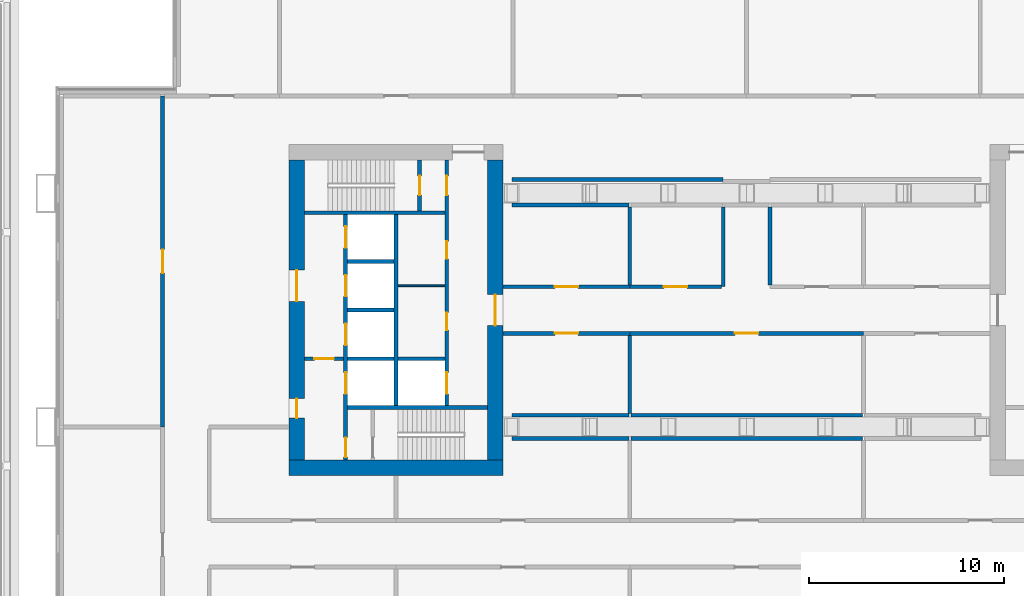
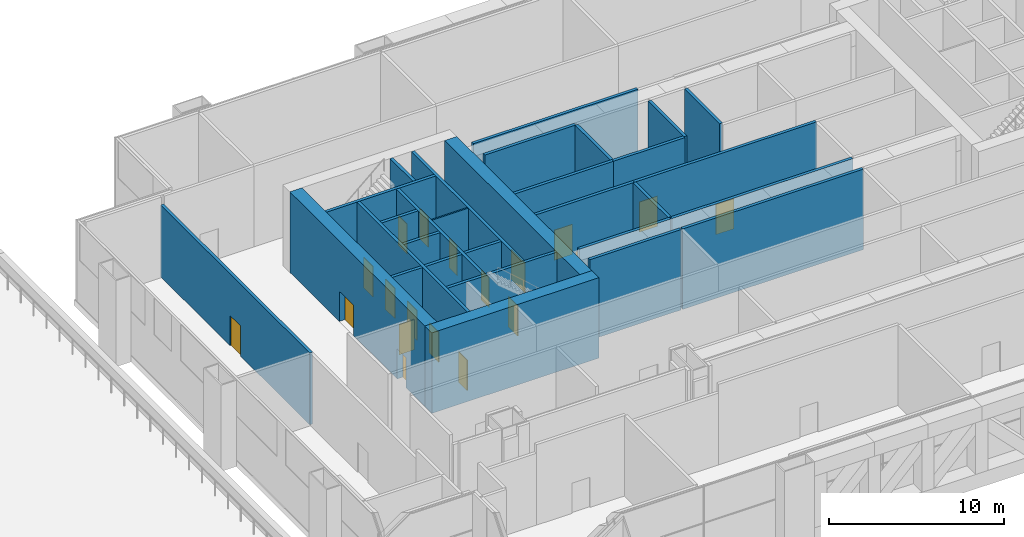
# One storey, part 22 of 27: 30 walls, 19 doors, 19 openings.
"""IFC4 building model written with IfcOpenShell, lengths in metres."""

from ifc_helpers import new_model, si_unit, direction, frame, frame_2d, origin, place, context, subcontext, project, spatial, rectangle, extrude, material, layer, layer_set, type_object, element, fill, save


model = new_model("IFC4")

# Units and contexts
model_context = context("Model", 3, precision=1e-05, world=origin(), true_north=direction((0.0, 1.0)))
body_context = subcontext(model_context, "Body", "Model", "MODEL_VIEW")
ifc_project = project(units=[si_unit("LENGTHUNIT", "METRE"), si_unit("AREAUNIT", "SQUARE_METRE"), si_unit("VOLUMEUNIT", "CUBIC_METRE"), si_unit("PLANEANGLEUNIT", "RADIAN"), si_unit("MASSUNIT", "GRAM", prefix="KILO")], contexts=[model_context])

# Site, building, storey
site_placement = place(None, origin())
site = spatial("IfcSite", under=ifc_project, at=site_placement, CompositionType="ELEMENT")
building_placement = place(site_placement, origin())
building = spatial("IfcBuilding", under=site, at=building_placement, Name="Kitamizu Gate Tower and Museum", CompositionType="ELEMENT")
storey_placement = place(building_placement, frame((0.0, 0.0, 24.0)))
storey = spatial("IfcBuildingStorey", under=building, at=storey_placement, Name="L04", CompositionType="ELEMENT", Elevation=24.0)

# Wall
ifc_material_1 = material(Name="Concrete Fc60", Category="concrete")
ifc_layer_1 = layer(ifc_material_1, 0.800048828125)
ifc_layer_set_1 = layer_set([ifc_layer_1], Name="Concrete Fc60")
wall_type_1 = type_object("IfcWallType", Name="Core wall 800", PredefinedType="SHEAR", material=ifc_layer_set_1)
wall_1_placement = place(storey_placement, frame((12.5, 21.89990234375, 0.0), z_axis=(0.0, 0.0, 1.0), x_axis=(1.0, 0.0, 0.0)))
element("IfcWall", 1, at=wall_1_placement, inside=storey, type_object=wall_type_1, Name="Core wall WS", PredefinedType="SHEAR", context=body_context, shape_type="SweptSolid", body=[
    extrude(rectangle(XDim=11.0, YDim=0.800048828125, at=frame_2d((5.5, 0.0))), origin(), (0.0, 0.0, 1.0), 5.60009765625),
])

# Wall, openings, doors
wall_2_placement = place(storey_placement, frame((12.89990234375, 22.300048828125, 0.0), z_axis=(0.0, 0.0, 1.0), x_axis=(0.0, 1.0, 0.0)))
wall_2 = element("IfcWall", 2, at=wall_2_placement, inside=storey, type_object=wall_type_1, Name="Core wall WOUT", PredefinedType="SHEAR", context=body_context, shape_type="SweptSolid", body=[
    extrude(rectangle(XDim=15.39990234375, YDim=0.800048828125, at=frame_2d((7.699951171875, 0.0))), origin(), (0.0, 0.0, 1.0), 5.60009765625),
])
opening_1_placement = place(wall_2_placement, frame((8.14990234375, 0.0, 0.0)))
opening_1 = element("IfcOpeningElement", 3, at=opening_1_placement, cuts=wall_2, Name="Opening L04-039", PredefinedType="OPENING", context=body_context, shape_type="SweptSolid", body=[
    extrude(rectangle(XDim=1.60009765625, YDim=2.10009765625, at=frame_2d((0.800048828125, 1.050048828125))), frame((0.0, 0.41015625, 0.0), z_axis=(0.0, -1.0, 0.0), x_axis=(1.0, 0.0, 0.0)), (0.0, 0.0, 1.0), 0.820068359375),
])
opening_2_placement = place(wall_2_placement, frame((2.14990234375, 0.0, 0.0)))
opening_2 = element("IfcOpeningElement", 4, at=opening_2_placement, cuts=wall_2, Name="Opening L04-040", PredefinedType="OPENING", context=body_context, shape_type="SweptSolid", body=[
    extrude(rectangle(XDim=1.0, YDim=2.10009765625, at=frame_2d((0.5, 1.050048828125))), frame((0.0, 0.41015625, 0.0), z_axis=(0.0, -1.0, 0.0), x_axis=(1.0, 0.0, 0.0)), (0.0, 0.0, 1.0), 0.820068359375),
])
ifc_material_2 = material(Name="Timber door set", Category="wood")
door_type_1 = type_object("IfcDoorType", Name="Entrance door 1600", OperationType="DOUBLE_DOOR_SINGLE_SWING", PredefinedType="DOOR", material=ifc_material_2)
door_1_placement = place(opening_1_placement, origin())
door_1 = element("IfcDoor", 5, at=door_1_placement, inside=storey, type_object=door_type_1, Name="Lobby door L04-039", OperationType="DOUBLE_DOOR_SINGLE_SWING", OverallHeight=2.10009765625, OverallWidth=1.60009765625, PredefinedType="DOOR", context=body_context, shape_type="SweptSolid", body=[
    extrude(rectangle(XDim=1.60009765625, YDim=2.10009765625, at=frame_2d((0.800048828125, 1.050048828125))), frame((0.0, 0.02490234375, 0.0), z_axis=(0.0, -1.0, 0.0), x_axis=(1.0, 0.0, 0.0)), (0.0, 0.0, 1.0), 0.050048828125),
])
fill(opening_1, door_1)
ifc_material_3 = material(Name="Hollow metal door set")
door_type_2 = type_object("IfcDoorType", Name="Fire door 1000", OperationType="NOTDEFINED", PredefinedType="DOOR", material=ifc_material_3)
door_2_placement = place(opening_2_placement, frame((1.0, 0.0, 0.0), x_axis=(-1.0, 0.0, 0.0)))
door_2 = element("IfcDoor", 6, at=door_2_placement, inside=storey, type_object=door_type_2, Name="Fire-fighting lobby door L04-040", OperationType="SINGLE_SWING_RIGHT", OverallHeight=2.10009765625, OverallWidth=1.0, PredefinedType="DOOR", context=body_context, shape_type="SweptSolid", body=[
    extrude(rectangle(XDim=1.0, YDim=2.10009765625, at=frame_2d((0.5, 1.050048828125))), frame((0.0, 0.02490234375, 0.0), z_axis=(0.0, -1.0, 0.0), x_axis=(1.0, 0.0, 0.0)), (0.0, 0.0, 1.0), 0.050048828125),
])
fill(opening_2, door_2)

# Wall, opening, door
wall_3_placement = place(storey_placement, frame((23.10009765625, 22.300048828125, 0.0), z_axis=(0.0, 0.0, 1.0), x_axis=(0.0, 1.0, 0.0)))
wall_3 = element("IfcWall", 7, at=wall_3_placement, inside=storey, type_object=wall_type_1, Name="Core wall WARC", PredefinedType="SHEAR", context=body_context, shape_type="SweptSolid", body=[
    extrude(rectangle(XDim=15.39990234375, YDim=0.800048828125, at=frame_2d((7.699951171875, 0.0))), origin(), (0.0, 0.0, 1.0), 5.60009765625),
])
opening_3_placement = place(wall_3_placement, frame((6.89990234375, 0.0, 0.0)))
opening_3 = element("IfcOpeningElement", 8, at=opening_3_placement, cuts=wall_3, Name="Opening L04-042", PredefinedType="OPENING", context=body_context, shape_type="SweptSolid", body=[
    extrude(rectangle(XDim=1.60009765625, YDim=2.10009765625, at=frame_2d((0.800048828125, 1.050048828125))), frame((0.0, 0.41015625, 0.0), z_axis=(0.0, -1.0, 0.0), x_axis=(1.0, 0.0, 0.0)), (0.0, 0.0, 1.0), 0.820068359375),
])
door_3_placement = place(opening_3_placement, origin())
door_3 = element("IfcDoor", 9, at=door_3_placement, inside=storey, type_object=door_type_1, Name="Lobby door L04-042", OperationType="DOUBLE_DOOR_SINGLE_SWING", OverallHeight=2.10009765625, OverallWidth=1.60009765625, PredefinedType="DOOR", context=body_context, shape_type="SweptSolid", body=[
    extrude(rectangle(XDim=1.60009765625, YDim=2.10009765625, at=frame_2d((0.800048828125, 1.050048828125))), frame((0.0, 0.02490234375, 0.0), z_axis=(0.0, -1.0, 0.0), x_axis=(1.0, 0.0, 0.0)), (0.0, 0.0, 1.0), 0.050048828125),
])
fill(opening_3, door_3)

# Wall
ifc_material_4 = material(Name="Gypsum board on galvanised stud")
ifc_layer_2 = layer(ifc_material_4, 0.10009765625)
ifc_layer_set_2 = layer_set([ifc_layer_2], Name="Gypsum board on galvanised stud")
wall_type_2 = type_object("IfcWallType", Name="Partition 100", PredefinedType="PARTITIONING", material=ifc_layer_set_2)
wall_4_placement = place(storey_placement, frame((18.10009765625, 31.25, 0.0), z_axis=(0.0, 0.0, 1.0), x_axis=(1.0, 0.0, 0.0)))
element("IfcWall", 10, at=wall_4_placement, inside=storey, type_object=wall_type_2, Name="Partition WPF1", PredefinedType="PARTITIONING", context=body_context, shape_type="SweptSolid", body=[
    extrude(rectangle(XDim=2.39990234375, YDim=0.10009765625, at=frame_2d((1.199951171875, 0.0))), origin(), (0.0, 0.0, 1.0), 5.60009765625),
])

# Wall, opening, door
ifc_material_5 = material(Name="Gypsum board on galvanised stud")
ifc_layer_3 = layer(ifc_material_5, 0.199951171875)
ifc_layer_set_3 = layer_set([ifc_layer_3], Name="Gypsum board on galvanised stud")
wall_type_3 = type_object("IfcWallType", Name="Partition 200", PredefinedType="PARTITIONING", material=ifc_layer_set_3)
wall_5_placement = place(storey_placement, frame((6.0, 41.0, 0.0), z_axis=(0.0, 0.0, 1.0), x_axis=(0.0, -1.0, 0.0)))
wall_5 = element("IfcWall", 11, at=wall_5_placement, inside=storey, type_object=wall_type_3, Name="Partition L04-004", PredefinedType="PARTITIONING", context=body_context, shape_type="SweptSolid", body=[
    extrude(rectangle(XDim=17.0, YDim=0.199951171875, at=frame_2d((8.5, 0.0))), origin(), (0.0, 0.0, 1.0), 5.0),
])
opening_4_placement = place(wall_5_placement, frame((7.89990234375, 0.0, 0.0)))
opening_4 = element("IfcOpeningElement", 12, at=opening_4_placement, cuts=wall_5, Name="Opening L04-003", PredefinedType="OPENING", context=body_context, shape_type="SweptSolid", body=[
    extrude(rectangle(XDim=1.199951171875, YDim=2.10009765625, at=frame_2d((0.60009765625, 1.050048828125))), frame((0.0, 0.10986328125, 0.0), z_axis=(0.0, -1.0, 0.0), x_axis=(1.0, 0.0, 0.0)), (0.0, 0.0, 1.0), 0.219970703125),
])
ifc_material_6 = material(Name="Timber door set", Category="wood")
door_type_3 = type_object("IfcDoorType", Name="Plant room door 1200", OperationType="DOUBLE_DOOR_SINGLE_SWING", PredefinedType="DOOR", material=ifc_material_6)
door_4_placement = place(opening_4_placement, origin())
door_4 = element("IfcDoor", 13, at=door_4_placement, inside=storey, type_object=door_type_3, Name="Plant room door L04-003", OperationType="DOUBLE_DOOR_SINGLE_SWING", OverallHeight=2.10009765625, OverallWidth=1.199951171875, PredefinedType="DOOR", context=body_context, shape_type="SweptSolid", body=[
    extrude(rectangle(XDim=1.199951171875, YDim=2.10009765625, at=frame_2d((0.60009765625, 1.050048828125))), frame((0.0, 0.02490234375, 0.0), z_axis=(0.0, -1.0, 0.0), x_axis=(1.0, 0.0, 0.0)), (0.0, 0.0, 1.0), 0.050048828125),
])
fill(opening_4, door_4)

wall_6_placement = place(storey_placement, frame((23.5, 28.800048828125, 0.0), z_axis=(0.0, 0.0, 1.0), x_axis=(1.0, 0.0, 0.0)))
wall_6 = element("IfcWall", 14, at=wall_6_placement, inside=storey, type_object=wall_type_3, Name="Partition L04-043", PredefinedType="PARTITIONING", context=body_context, shape_type="SweptSolid", body=[
    extrude(rectangle(XDim=6.5, YDim=0.199951171875, at=frame_2d((3.25, 0.0))), origin(), (0.0, 0.0, 1.0), 5.60009765625),
])
opening_5_placement = place(wall_6_placement, frame((2.64990234375, 0.0, 0.0)))
opening_5 = element("IfcOpeningElement", 15, at=opening_5_placement, cuts=wall_6, Name="Opening L04-021", PredefinedType="OPENING", context=body_context, shape_type="SweptSolid", body=[
    extrude(rectangle(XDim=1.199951171875, YDim=2.10009765625, at=frame_2d((0.60009765625, 1.050048828125))), frame((0.0, 0.10986328125, 0.0), z_axis=(0.0, -1.0, 0.0), x_axis=(1.0, 0.0, 0.0)), (0.0, 0.0, 1.0), 0.219970703125),
])
door_5_placement = place(opening_5_placement, origin())
door_5 = element("IfcDoor", 16, at=door_5_placement, inside=storey, type_object=door_type_3, Name="Plant room door L04-021", OperationType="DOUBLE_DOOR_SINGLE_SWING", OverallHeight=2.10009765625, OverallWidth=1.199951171875, PredefinedType="DOOR", context=body_context, shape_type="SweptSolid", body=[
    extrude(rectangle(XDim=1.199951171875, YDim=2.10009765625, at=frame_2d((0.60009765625, 1.050048828125))), frame((0.0, 0.02490234375, 0.0), z_axis=(0.0, -1.0, 0.0), x_axis=(1.0, 0.0, 0.0)), (0.0, 0.0, 1.0), 0.050048828125),
])
fill(opening_5, door_5)

wall_7_placement = place(storey_placement, frame((30.0, 28.800048828125, 0.0), z_axis=(0.0, 0.0, 1.0), x_axis=(1.0, 0.0, 0.0)))
wall_7 = element("IfcWall", 17, at=wall_7_placement, inside=storey, type_object=wall_type_3, Name="Partition L04-044", PredefinedType="PARTITIONING", context=body_context, shape_type="SweptSolid", body=[
    extrude(rectangle(XDim=12.0, YDim=0.199951171875, at=frame_2d((6.0, 0.0))), origin(), (0.0, 0.0, 1.0), 5.60009765625),
])
opening_6_placement = place(wall_7_placement, frame((5.39990234375, 0.0, 0.0)))
opening_6 = element("IfcOpeningElement", 18, at=opening_6_placement, cuts=wall_7, Name="Opening L04-022", PredefinedType="OPENING", context=body_context, shape_type="SweptSolid", body=[
    extrude(rectangle(XDim=1.199951171875, YDim=2.10009765625, at=frame_2d((0.60009765625, 1.050048828125))), frame((0.0, 0.10986328125, 0.0), z_axis=(0.0, -1.0, 0.0), x_axis=(1.0, 0.0, 0.0)), (0.0, 0.0, 1.0), 0.219970703125),
])
door_6_placement = place(opening_6_placement, origin())
door_6 = element("IfcDoor", 19, at=door_6_placement, inside=storey, type_object=door_type_3, Name="Plant room door L04-022", OperationType="DOUBLE_DOOR_SINGLE_SWING", OverallHeight=2.10009765625, OverallWidth=1.199951171875, PredefinedType="DOOR", context=body_context, shape_type="SweptSolid", body=[
    extrude(rectangle(XDim=1.199951171875, YDim=2.10009765625, at=frame_2d((0.60009765625, 1.050048828125))), frame((0.0, 0.02490234375, 0.0), z_axis=(0.0, -1.0, 0.0), x_axis=(1.0, 0.0, 0.0)), (0.0, 0.0, 1.0), 0.050048828125),
])
fill(opening_6, door_6)

wall_8_placement = place(storey_placement, frame((30.0, 31.199951171875, 0.0), z_axis=(0.0, 0.0, 1.0), x_axis=(-1.0, 0.0, 0.0)))
wall_8 = element("IfcWall", 20, at=wall_8_placement, inside=storey, type_object=wall_type_3, Name="Partition L04-046", PredefinedType="PARTITIONING", context=body_context, shape_type="SweptSolid", body=[
    extrude(rectangle(XDim=6.5, YDim=0.199951171875, at=frame_2d((3.25, 0.0))), origin(), (0.0, 0.0, 1.0), 5.60009765625),
])
opening_7_placement = place(wall_8_placement, frame((2.64990234375, 0.0, 0.0)))
opening_7 = element("IfcOpeningElement", 21, at=opening_7_placement, cuts=wall_8, Name="Opening L04-024", PredefinedType="OPENING", context=body_context, shape_type="SweptSolid", body=[
    extrude(rectangle(XDim=1.199951171875, YDim=2.10009765625, at=frame_2d((0.60009765625, 1.050048828125))), frame((0.0, 0.10986328125, 0.0), z_axis=(0.0, -1.0, 0.0), x_axis=(1.0, 0.0, 0.0)), (0.0, 0.0, 1.0), 0.219970703125),
])
door_7_placement = place(opening_7_placement, origin())
door_7 = element("IfcDoor", 22, at=door_7_placement, inside=storey, type_object=door_type_3, Name="Plant room door L04-024", OperationType="DOUBLE_DOOR_SINGLE_SWING", OverallHeight=2.10009765625, OverallWidth=1.199951171875, PredefinedType="DOOR", context=body_context, shape_type="SweptSolid", body=[
    extrude(rectangle(XDim=1.199951171875, YDim=2.10009765625, at=frame_2d((0.60009765625, 1.050048828125))), frame((0.0, 0.02490234375, 0.0), z_axis=(0.0, -1.0, 0.0), x_axis=(1.0, 0.0, 0.0)), (0.0, 0.0, 1.0), 0.050048828125),
])
fill(opening_7, door_7)

# Wall
wall_9_placement = place(storey_placement, frame((34.800048828125, 35.300048828125, 0.0), z_axis=(0.0, 0.0, 1.0), x_axis=(0.0, -1.0, 0.0)))
element("IfcWall", 23, at=wall_9_placement, inside=storey, type_object=wall_type_3, Name="Partition L04-047", PredefinedType="PARTITIONING", context=body_context, shape_type="SweptSolid", body=[
    extrude(rectangle(XDim=4.10009765625, YDim=0.199951171875, at=frame_2d((2.050048828125, 0.0))), origin(), (0.0, 0.0, 1.0), 5.60009765625),
])

# Wall, opening, door
wall_10_placement = place(storey_placement, frame((34.699951171875, 31.199951171875, 0.0), z_axis=(0.0, 0.0, 1.0), x_axis=(-1.0, 0.0, 0.0)))
wall_10 = element("IfcWall", 24, at=wall_10_placement, inside=storey, type_object=wall_type_3, Name="Partition L04-048", PredefinedType="PARTITIONING", context=body_context, shape_type="SweptSolid", body=[
    extrude(rectangle(XDim=4.699951171875, YDim=0.199951171875, at=frame_2d((2.35009765625, 0.0))), origin(), (0.0, 0.0, 1.0), 5.60009765625),
])
opening_8_placement = place(wall_10_placement, frame((1.75, 0.0, 0.0)))
opening_8 = element("IfcOpeningElement", 25, at=opening_8_placement, cuts=wall_10, Name="Opening L04-025", PredefinedType="OPENING", context=body_context, shape_type="SweptSolid", body=[
    extrude(rectangle(XDim=1.199951171875, YDim=2.10009765625, at=frame_2d((0.60009765625, 1.050048828125))), frame((0.0, 0.10986328125, 0.0), z_axis=(0.0, -1.0, 0.0), x_axis=(1.0, 0.0, 0.0)), (0.0, 0.0, 1.0), 0.219970703125),
])
door_8_placement = place(opening_8_placement, origin())
door_8 = element("IfcDoor", 26, at=door_8_placement, inside=storey, type_object=door_type_3, Name="Plant room door L04-025", OperationType="DOUBLE_DOOR_SINGLE_SWING", OverallHeight=2.10009765625, OverallWidth=1.199951171875, PredefinedType="DOOR", context=body_context, shape_type="SweptSolid", body=[
    extrude(rectangle(XDim=1.199951171875, YDim=2.10009765625, at=frame_2d((0.60009765625, 1.050048828125))), frame((0.0, 0.02490234375, 0.0), z_axis=(0.0, -1.0, 0.0), x_axis=(1.0, 0.0, 0.0)), (0.0, 0.0, 1.0), 0.050048828125),
])
fill(opening_8, door_8)

# Walls
for number, where, z_axis, x_axis, name in (
    (27, (37.199951171875, 31.300048828125, 0.0), (0.0, 0.0, 1.0), (0.0, 1.0, 0.0), "Partition L04-050"),
    (28, (30.0, 24.699951171875, 0.0), (0.0, 0.0, 1.0), (0.0, 1.0, 0.0), "Partition L04-069"),
    (29, (30.0, 31.300048828125, 0.0), (0.0, 0.0, 1.0), (0.0, 1.0, 0.0), "Partition L04-071"),
):
    element("IfcWall", number, at=place(storey_placement, frame(where, z_axis=z_axis, x_axis=x_axis)), inside=storey, type_object=wall_type_3, Name=name, PredefinedType="PARTITIONING", context=body_context, shape_type="SweptSolid", body=[
        extrude(rectangle(XDim=4.0, YDim=0.199951171875, at=frame_2d((2.0, 0.0))), origin(), (0.0, 0.0, 1.0), 5.60009765625),
    ])
wall_11_placement = place(storey_placement, frame((34.800048828125, 36.699951171875, 0.0), z_axis=(0.0, 0.0, 1.0), x_axis=(-1.0, 0.0, 0.0)))
element("IfcWall", 30, at=wall_11_placement, inside=storey, type_object=wall_type_3, Name="Partition L04-078", PredefinedType="PARTITIONING", context=body_context, shape_type="SweptSolid", body=[
    extrude(rectangle(XDim=10.85009765625, YDim=0.199951171875, at=frame_2d((5.425048828125, 0.0))), origin(), (0.0, 0.0, 1.0), 5.60009765625),
])
wall_12_placement = place(storey_placement, frame((29.949951171875, 23.39990234375, 0.0), z_axis=(0.0, 0.0, 1.0), x_axis=(-1.0, 0.0, 0.0)))
element("IfcWall", 31, at=wall_12_placement, inside=storey, type_object=wall_type_3, Name="Partition L04-078", PredefinedType="PARTITIONING", context=body_context, shape_type="SweptSolid", body=[
    extrude(rectangle(XDim=6.0, YDim=0.199951171875, at=frame_2d((3.0, 0.0))), origin(), (0.0, 0.0, 1.0), 5.60009765625),
])
wall_13_placement = place(storey_placement, frame((41.949951171875, 23.39990234375, 0.0), z_axis=(0.0, 0.0, 1.0), x_axis=(-1.0, 0.0, 0.0)))
element("IfcWall", 32, at=wall_13_placement, inside=storey, type_object=wall_type_3, Name="Partition L04-078", PredefinedType="PARTITIONING", context=body_context, shape_type="SweptSolid", body=[
    extrude(rectangle(XDim=11.89990234375, YDim=0.199951171875, at=frame_2d((5.949951171875, 0.0))), origin(), (0.0, 0.0, 1.0), 5.60009765625),
])
wall_14_placement = place(storey_placement, frame((23.949951171875, 24.60009765625, 0.0), z_axis=(0.0, 0.0, 1.0), x_axis=(1.0, 0.0, 0.0)))
element("IfcWall", 33, at=wall_14_placement, inside=storey, type_object=wall_type_3, Name="Partition L04-078", PredefinedType="PARTITIONING", context=body_context, shape_type="SweptSolid", body=[
    extrude(rectangle(XDim=6.0, YDim=0.199951171875, at=frame_2d((3.0, 0.0))), origin(), (0.0, 0.0, 1.0), 5.60009765625),
])
wall_15_placement = place(storey_placement, frame((30.050048828125, 24.60009765625, 0.0), z_axis=(0.0, 0.0, 1.0), x_axis=(1.0, 0.0, 0.0)))
element("IfcWall", 34, at=wall_15_placement, inside=storey, type_object=wall_type_3, Name="Partition L04-078", PredefinedType="PARTITIONING", context=body_context, shape_type="SweptSolid", body=[
    extrude(rectangle(XDim=11.89990234375, YDim=0.199951171875, at=frame_2d((5.949951171875, 0.0))), origin(), (0.0, 0.0, 1.0), 5.60009765625),
])
wall_16_placement = place(storey_placement, frame((29.949951171875, 35.39990234375, 0.0), z_axis=(0.0, 0.0, 1.0), x_axis=(-1.0, 0.0, 0.0)))
element("IfcWall", 35, at=wall_16_placement, inside=storey, type_object=wall_type_3, Name="Partition L04-078", PredefinedType="PARTITIONING", context=body_context, shape_type="SweptSolid", body=[
    extrude(rectangle(XDim=6.0, YDim=0.199951171875, at=frame_2d((3.0, 0.0))), origin(), (0.0, 0.0, 1.0), 5.60009765625),
])

# Wall, openings, doors
ifc_material_7 = material(Name="Concrete Fc42", Category="concrete")
ifc_layer_4 = layer(ifc_material_7, 0.199951171875)
ifc_layer_set_4 = layer_set([ifc_layer_4], Name="Concrete Fc42")
wall_type_4 = type_object("IfcWallType", Name="Shaft wall 200", PredefinedType="SOLIDWALL", material=ifc_layer_set_4)
wall_17_placement = place(storey_placement, frame((15.39990234375, 22.300048828125, 0.0), z_axis=(0.0, 0.0, 1.0), x_axis=(0.0, 1.0, 0.0)))
wall_17 = element("IfcWall", 36, at=wall_17_placement, inside=storey, type_object=wall_type_4, Name="Shaft wall WWEST", PredefinedType="SOLIDWALL", context=body_context, shape_type="SweptSolid", body=[
    extrude(rectangle(XDim=12.599853515625, YDim=0.199951171875, at=frame_2d((6.2998046875, 0.0))), origin(), (0.0, 0.0, 1.0), 5.60009765625),
])
opening_9_placement = place(wall_17_placement, frame((3.39990234375, 0.0, 0.0)))
opening_9 = element("IfcOpeningElement", 37, at=opening_9_placement, cuts=wall_17, Name="Opening LD", PredefinedType="OPENING", context=body_context, shape_type="SweptSolid", body=[
    extrude(rectangle(XDim=1.10009765625, YDim=2.10009765625, at=frame_2d((0.550048828125, 1.050048828125))), frame((0.0, 0.10986328125, 0.0), z_axis=(0.0, -1.0, 0.0), x_axis=(1.0, 0.0, 0.0)), (0.0, 0.0, 1.0), 0.219970703125),
])
opening_10_placement = place(wall_17_placement, frame((5.89990234375, 0.0, 0.0)))
opening_10 = element("IfcOpeningElement", 38, at=opening_10_placement, cuts=wall_17, Name="Opening LD", PredefinedType="OPENING", context=body_context, shape_type="SweptSolid", body=[
    extrude(rectangle(XDim=1.10009765625, YDim=2.10009765625, at=frame_2d((0.550048828125, 1.050048828125))), frame((0.0, 0.10986328125, 0.0), z_axis=(0.0, -1.0, 0.0), x_axis=(1.0, 0.0, 0.0)), (0.0, 0.0, 1.0), 0.219970703125),
])
opening_11_placement = place(wall_17_placement, frame((8.39990234375, 0.0, 0.0)))
opening_11 = element("IfcOpeningElement", 39, at=opening_11_placement, cuts=wall_17, Name="Opening LD", PredefinedType="OPENING", context=body_context, shape_type="SweptSolid", body=[
    extrude(rectangle(XDim=1.10009765625, YDim=2.10009765625, at=frame_2d((0.550048828125, 1.050048828125))), frame((0.0, 0.10986328125, 0.0), z_axis=(0.0, -1.0, 0.0), x_axis=(1.0, 0.0, 0.0)), (0.0, 0.0, 1.0), 0.219970703125),
])
opening_12_placement = place(wall_17_placement, frame((10.89990234375, 0.0, 0.0)))
opening_12 = element("IfcOpeningElement", 40, at=opening_12_placement, cuts=wall_17, Name="Opening LD", PredefinedType="OPENING", context=body_context, shape_type="SweptSolid", body=[
    extrude(rectangle(XDim=1.10009765625, YDim=2.10009765625, at=frame_2d((0.550048828125, 1.050048828125))), frame((0.0, 0.10986328125, 0.0), z_axis=(0.0, -1.0, 0.0), x_axis=(1.0, 0.0, 0.0)), (0.0, 0.0, 1.0), 0.219970703125),
])
opening_13_placement = place(wall_17_placement, frame((0.14990234375, 0.0, 0.0)))
opening_13 = element("IfcOpeningElement", 41, at=opening_13_placement, cuts=wall_17, Name="Opening L04-035", PredefinedType="OPENING", context=body_context, shape_type="SweptSolid", body=[
    extrude(rectangle(XDim=1.0, YDim=2.10009765625, at=frame_2d((0.5, 1.050048828125))), frame((0.0, 0.10986328125, 0.0), z_axis=(0.0, -1.0, 0.0), x_axis=(1.0, 0.0, 0.0)), (0.0, 0.0, 1.0), 0.219970703125),
])
door_9_placement = place(opening_13_placement, frame((1.0, 0.0, 0.0), x_axis=(-1.0, 0.0, 0.0)))
door_9 = element("IfcDoor", 42, at=door_9_placement, inside=storey, type_object=door_type_2, Name="Stair lobby door L04-035", OperationType="SINGLE_SWING_LEFT", OverallHeight=2.10009765625, OverallWidth=1.0, PredefinedType="DOOR", context=body_context, shape_type="SweptSolid", body=[
    extrude(rectangle(XDim=1.0, YDim=2.10009765625, at=frame_2d((0.5, 1.050048828125))), frame((0.0, 0.02490234375, 0.0), z_axis=(0.0, -1.0, 0.0), x_axis=(1.0, 0.0, 0.0)), (0.0, 0.0, 1.0), 0.050048828125),
])
fill(opening_13, door_9)
ifc_material_8 = material(Name="Hollow metal door set")
door_type_4 = type_object("IfcDoorType", Name="Landing door 1100", OperationType="SLIDING_TO_LEFT", PredefinedType="DOOR", material=ifc_material_8)
door_10_placement = place(opening_9_placement, origin())
door_10 = element("IfcDoor", 43, at=door_10_placement, inside=storey, type_object=door_type_4, Name="Landing door WFF1", OperationType="SLIDING_TO_LEFT", OverallHeight=2.10009765625, OverallWidth=1.10009765625, PredefinedType="DOOR", context=body_context, shape_type="SweptSolid", body=[
    extrude(rectangle(XDim=1.10009765625, YDim=2.10009765625, at=frame_2d((0.550048828125, 1.050048828125))), frame((0.0, 0.02490234375, 0.0), z_axis=(0.0, -1.0, 0.0), x_axis=(1.0, 0.0, 0.0)), (0.0, 0.0, 1.0), 0.050048828125),
])
fill(opening_9, door_10)
door_11_placement = place(opening_10_placement, origin())
door_11 = element("IfcDoor", 44, at=door_11_placement, inside=storey, type_object=door_type_4, Name="Landing door WL1", OperationType="SLIDING_TO_LEFT", OverallHeight=2.10009765625, OverallWidth=1.10009765625, PredefinedType="DOOR", context=body_context, shape_type="SweptSolid", body=[
    extrude(rectangle(XDim=1.10009765625, YDim=2.10009765625, at=frame_2d((0.550048828125, 1.050048828125))), frame((0.0, 0.02490234375, 0.0), z_axis=(0.0, -1.0, 0.0), x_axis=(1.0, 0.0, 0.0)), (0.0, 0.0, 1.0), 0.050048828125),
])
fill(opening_10, door_11)
door_12_placement = place(opening_11_placement, origin())
door_12 = element("IfcDoor", 45, at=door_12_placement, inside=storey, type_object=door_type_4, Name="Landing door WL2", OperationType="SLIDING_TO_LEFT", OverallHeight=2.10009765625, OverallWidth=1.10009765625, PredefinedType="DOOR", context=body_context, shape_type="SweptSolid", body=[
    extrude(rectangle(XDim=1.10009765625, YDim=2.10009765625, at=frame_2d((0.550048828125, 1.050048828125))), frame((0.0, 0.02490234375, 0.0), z_axis=(0.0, -1.0, 0.0), x_axis=(1.0, 0.0, 0.0)), (0.0, 0.0, 1.0), 0.050048828125),
])
fill(opening_11, door_12)
door_13_placement = place(opening_12_placement, origin())
door_13 = element("IfcDoor", 46, at=door_13_placement, inside=storey, type_object=door_type_4, Name="Landing door WL3", OperationType="SLIDING_TO_LEFT", OverallHeight=2.10009765625, OverallWidth=1.10009765625, PredefinedType="DOOR", context=body_context, shape_type="SweptSolid", body=[
    extrude(rectangle(XDim=1.10009765625, YDim=2.10009765625, at=frame_2d((0.550048828125, 1.050048828125))), frame((0.0, 0.02490234375, 0.0), z_axis=(0.0, -1.0, 0.0), x_axis=(1.0, 0.0, 0.0)), (0.0, 0.0, 1.0), 0.050048828125),
])
fill(opening_12, door_13)

wall_18_placement = place(storey_placement, frame((20.60009765625, 25.10009765625, 0.0), z_axis=(0.0, 0.0, 1.0), x_axis=(0.0, 1.0, 0.0)))
wall_18 = element("IfcWall", 47, at=wall_18_placement, inside=storey, type_object=wall_type_4, Name="Shaft wall WEAST", PredefinedType="SOLIDWALL", context=body_context, shape_type="SweptSolid", body=[
    extrude(rectangle(XDim=12.599853515625, YDim=0.199951171875, at=frame_2d((6.2998046875, 0.0))), origin(), (0.0, 0.0, 1.0), 5.60009765625),
])
opening_14_placement = place(wall_18_placement, frame((0.60009765625, 0.0, 0.0)))
opening_14 = element("IfcOpeningElement", 48, at=opening_14_placement, cuts=wall_18, Name="Opening LD", PredefinedType="OPENING", context=body_context, shape_type="SweptSolid", body=[
    extrude(rectangle(XDim=1.10009765625, YDim=2.10009765625, at=frame_2d((0.550048828125, 1.050048828125))), frame((0.0, 0.10986328125, 0.0), z_axis=(0.0, -1.0, 0.0), x_axis=(1.0, 0.0, 0.0)), (0.0, 0.0, 1.0), 0.219970703125),
])
opening_15_placement = place(wall_18_placement, frame((10.800048828125, 0.0, 0.0)))
opening_15 = element("IfcOpeningElement", 49, at=opening_15_placement, cuts=wall_18, Name="Opening L04-036", PredefinedType="OPENING", context=body_context, shape_type="SweptSolid", body=[
    extrude(rectangle(XDim=1.0, YDim=2.10009765625, at=frame_2d((0.5, 1.050048828125))), frame((0.0, 0.10986328125, 0.0), z_axis=(0.0, -1.0, 0.0), x_axis=(1.0, 0.0, 0.0)), (0.0, 0.0, 1.0), 0.219970703125),
])
opening_16_placement = place(wall_18_placement, frame((3.875, 0.0, 0.0)))
opening_16 = element("IfcOpeningElement", 50, at=opening_16_placement, cuts=wall_18, Name="Opening L04-043", PredefinedType="OPENING", context=body_context, shape_type="SweptSolid", body=[
    extrude(rectangle(XDim=0.89990234375, YDim=2.10009765625, at=frame_2d((0.449951171875, 1.050048828125))), frame((0.0, 0.10986328125, 0.0), z_axis=(0.0, -1.0, 0.0), x_axis=(1.0, 0.0, 0.0)), (0.0, 0.0, 1.0), 0.219970703125),
])
opening_17_placement = place(wall_18_placement, frame((7.52490234375, 0.0, 0.0)))
opening_17 = element("IfcOpeningElement", 51, at=opening_17_placement, cuts=wall_18, Name="Opening L04-044", PredefinedType="OPENING", context=body_context, shape_type="SweptSolid", body=[
    extrude(rectangle(XDim=0.89990234375, YDim=2.10009765625, at=frame_2d((0.449951171875, 1.050048828125))), frame((0.0, 0.10986328125, 0.0), z_axis=(0.0, -1.0, 0.0), x_axis=(1.0, 0.0, 0.0)), (0.0, 0.0, 1.0), 0.219970703125),
])
door_14_placement = place(opening_15_placement, origin())
door_14 = element("IfcDoor", 52, at=door_14_placement, inside=storey, type_object=door_type_2, Name="Stair lobby door L04-036", OperationType="SINGLE_SWING_RIGHT", OverallHeight=2.10009765625, OverallWidth=1.0, PredefinedType="DOOR", context=body_context, shape_type="SweptSolid", body=[
    extrude(rectangle(XDim=1.0, YDim=2.10009765625, at=frame_2d((0.5, 1.050048828125))), frame((0.0, 0.02490234375, 0.0), z_axis=(0.0, -1.0, 0.0), x_axis=(1.0, 0.0, 0.0)), (0.0, 0.0, 1.0), 0.050048828125),
])
fill(opening_15, door_14)
door_15_placement = place(opening_14_placement, origin())
door_15 = element("IfcDoor", 53, at=door_15_placement, inside=storey, type_object=door_type_4, Name="Landing door WSV1", OperationType="SLIDING_TO_LEFT", OverallHeight=2.10009765625, OverallWidth=1.10009765625, PredefinedType="DOOR", context=body_context, shape_type="SweptSolid", body=[
    extrude(rectangle(XDim=1.10009765625, YDim=2.10009765625, at=frame_2d((0.550048828125, 1.050048828125))), frame((0.0, 0.02490234375, 0.0), z_axis=(0.0, -1.0, 0.0), x_axis=(1.0, 0.0, 0.0)), (0.0, 0.0, 1.0), 0.050048828125),
])
fill(opening_14, door_15)
ifc_material_9 = material(Name="Timber door set", Category="wood")
door_type_5 = type_object("IfcDoorType", Name="Service door 900", OperationType="NOTDEFINED", PredefinedType="DOOR", material=ifc_material_9)
door_16_placement = place(opening_16_placement, origin())
door_16 = element("IfcDoor", 54, at=door_16_placement, inside=storey, type_object=door_type_5, Name="Service door L04-043", OperationType="SINGLE_SWING_RIGHT", OverallHeight=2.10009765625, OverallWidth=0.89990234375, PredefinedType="DOOR", context=body_context, shape_type="SweptSolid", body=[
    extrude(rectangle(XDim=0.89990234375, YDim=2.10009765625, at=frame_2d((0.449951171875, 1.050048828125))), frame((0.0, 0.02490234375, 0.0), z_axis=(0.0, -1.0, 0.0), x_axis=(1.0, 0.0, 0.0)), (0.0, 0.0, 1.0), 0.050048828125),
])
fill(opening_16, door_16)
door_17_placement = place(opening_17_placement, origin())
door_17 = element("IfcDoor", 55, at=door_17_placement, inside=storey, type_object=door_type_5, Name="Service door L04-044", OperationType="SINGLE_SWING_LEFT", OverallHeight=2.10009765625, OverallWidth=0.89990234375, PredefinedType="DOOR", context=body_context, shape_type="SweptSolid", body=[
    extrude(rectangle(XDim=0.89990234375, YDim=2.10009765625, at=frame_2d((0.449951171875, 1.050048828125))), frame((0.0, 0.02490234375, 0.0), z_axis=(0.0, -1.0, 0.0), x_axis=(1.0, 0.0, 0.0)), (0.0, 0.0, 1.0), 0.050048828125),
])
fill(opening_17, door_17)

# Walls
wall_19_placement = place(storey_placement, frame((18.0, 25.10009765625, 0.0), z_axis=(0.0, 0.0, 1.0), x_axis=(0.0, 1.0, 0.0)))
element("IfcWall", 56, at=wall_19_placement, inside=storey, type_object=wall_type_4, Name="Shaft wall WMID", PredefinedType="SOLIDWALL", context=body_context, shape_type="SweptSolid", body=[
    extrude(rectangle(XDim=9.7998046875, YDim=0.199951171875, at=frame_2d((4.89990234375, 0.0))), origin(), (0.0, 0.0, 1.0), 5.60009765625),
])
for number, where, z_axis, x_axis, name in (
    (57, (15.5, 25.0, 0.0), (0.0, 0.0, 1.0), (1.0, 0.0, 0.0), "Shaft wall WSB"),
    (58, (13.300048828125, 35.0, 0.0), (0.0, 0.0, 1.0), (1.0, 0.0, 0.0), "Shaft wall WNB"),
):
    element("IfcWall", number, at=place(storey_placement, frame(where, z_axis=z_axis, x_axis=x_axis)), inside=storey, type_object=wall_type_4, Name=name, PredefinedType="SOLIDWALL", context=body_context, shape_type="SweptSolid", body=[
        extrude(rectangle(XDim=7.199951171875, YDim=0.199951171875, at=frame_2d((3.60009765625, 0.0))), origin(), (0.0, 0.0, 1.0), 5.60009765625),
    ])

# Wall, opening, door
wall_20_placement = place(storey_placement, frame((13.300048828125, 27.5, 0.0), z_axis=(0.0, 0.0, 1.0), x_axis=(1.0, 0.0, 0.0)))
wall_20 = element("IfcWall", 59, at=wall_20_placement, inside=storey, type_object=wall_type_4, Name="Shaft wall WFFN", PredefinedType="SOLIDWALL", context=body_context, shape_type="SweptSolid", body=[
    extrude(rectangle(XDim=2.0, YDim=0.199951171875, at=frame_2d((1.0, 0.0))), origin(), (0.0, 0.0, 1.0), 5.60009765625),
])
opening_18_placement = place(wall_20_placement, frame((0.5, 0.0, 0.0)))
opening_18 = element("IfcOpeningElement", 60, at=opening_18_placement, cuts=wall_20, Name="Opening L04-038", PredefinedType="OPENING", context=body_context, shape_type="SweptSolid", body=[
    extrude(rectangle(XDim=1.0, YDim=2.10009765625, at=frame_2d((0.5, 1.050048828125))), frame((0.0, 0.10986328125, 0.0), z_axis=(0.0, -1.0, 0.0), x_axis=(1.0, 0.0, 0.0)), (0.0, 0.0, 1.0), 0.219970703125),
])
door_18_placement = place(opening_18_placement, frame((1.0, 0.0, 0.0), x_axis=(-1.0, 0.0, 0.0)))
door_18 = element("IfcDoor", 61, at=door_18_placement, inside=storey, type_object=door_type_2, Name="Fire-fighting lobby door L04-038", OperationType="SINGLE_SWING_LEFT", OverallHeight=2.10009765625, OverallWidth=1.0, PredefinedType="DOOR", context=body_context, shape_type="SweptSolid", body=[
    extrude(rectangle(XDim=1.0, YDim=2.10009765625, at=frame_2d((0.5, 1.050048828125))), frame((0.0, 0.02490234375, 0.0), z_axis=(0.0, -1.0, 0.0), x_axis=(1.0, 0.0, 0.0)), (0.0, 0.0, 1.0), 0.050048828125),
])
fill(opening_18, door_18)

wall_21_placement = place(storey_placement, frame((19.199951171875, 35.10009765625, 0.0), z_axis=(0.0, 0.0, 1.0), x_axis=(0.0, 1.0, 0.0)))
wall_21 = element("IfcWall", 62, at=wall_21_placement, inside=storey, type_object=wall_type_4, Name="Shaft wall WNZ", PredefinedType="SOLIDWALL", context=body_context, shape_type="SweptSolid", body=[
    extrude(rectangle(XDim=2.599853515625, YDim=0.199951171875, at=frame_2d((1.2998046875, 0.0))), origin(), (0.0, 0.0, 1.0), 5.60009765625),
])
opening_19_placement = place(wall_21_placement, frame((0.800048828125, 0.0, 0.0)))
opening_19 = element("IfcOpeningElement", 63, at=opening_19_placement, cuts=wall_21, Name="Opening L04-037", PredefinedType="OPENING", context=body_context, shape_type="SweptSolid", body=[
    extrude(rectangle(XDim=1.0, YDim=2.10009765625, at=frame_2d((0.5, 1.050048828125))), frame((0.0, 0.10986328125, 0.0), z_axis=(0.0, -1.0, 0.0), x_axis=(1.0, 0.0, 0.0)), (0.0, 0.0, 1.0), 0.219970703125),
])
door_19_placement = place(opening_19_placement, origin())
door_19 = element("IfcDoor", 64, at=door_19_placement, inside=storey, type_object=door_type_2, Name="Stair door L04-037", OperationType="SINGLE_SWING_LEFT", OverallHeight=2.10009765625, OverallWidth=1.0, PredefinedType="DOOR", context=body_context, shape_type="SweptSolid", body=[
    extrude(rectangle(XDim=1.0, YDim=2.10009765625, at=frame_2d((0.5, 1.050048828125))), frame((0.0, 0.02490234375, 0.0), z_axis=(0.0, -1.0, 0.0), x_axis=(1.0, 0.0, 0.0)), (0.0, 0.0, 1.0), 0.050048828125),
])
fill(opening_19, door_19)

# Walls
for number, where, z_axis, x_axis, name in (
    (65, (15.5, 27.5, 0.0), (0.0, 0.0, 1.0), (1.0, 0.0, 0.0), "Shaft wall WDVW0"),
    (66, (15.5, 30.0, 0.0), (0.0, 0.0, 1.0), (1.0, 0.0, 0.0), "Shaft wall WDVW1"),
    (67, (15.5, 32.5, 0.0), (0.0, 0.0, 1.0), (1.0, 0.0, 0.0), "Shaft wall WDVW2"),
    (68, (18.10009765625, 27.5, 0.0), (0.0, 0.0, 1.0), (1.0, 0.0, 0.0), "Shaft wall WDVE0"),
):
    element("IfcWall", number, at=place(storey_placement, frame(where, z_axis=z_axis, x_axis=x_axis)), inside=storey, type_object=wall_type_4, Name=name, PredefinedType="SOLIDWALL", context=body_context, shape_type="SweptSolid", body=[
        extrude(rectangle(XDim=2.39990234375, YDim=0.199951171875, at=frame_2d((1.199951171875, 0.0))), origin(), (0.0, 0.0, 1.0), 5.60009765625),
    ])

save(model, "model.ifc")
